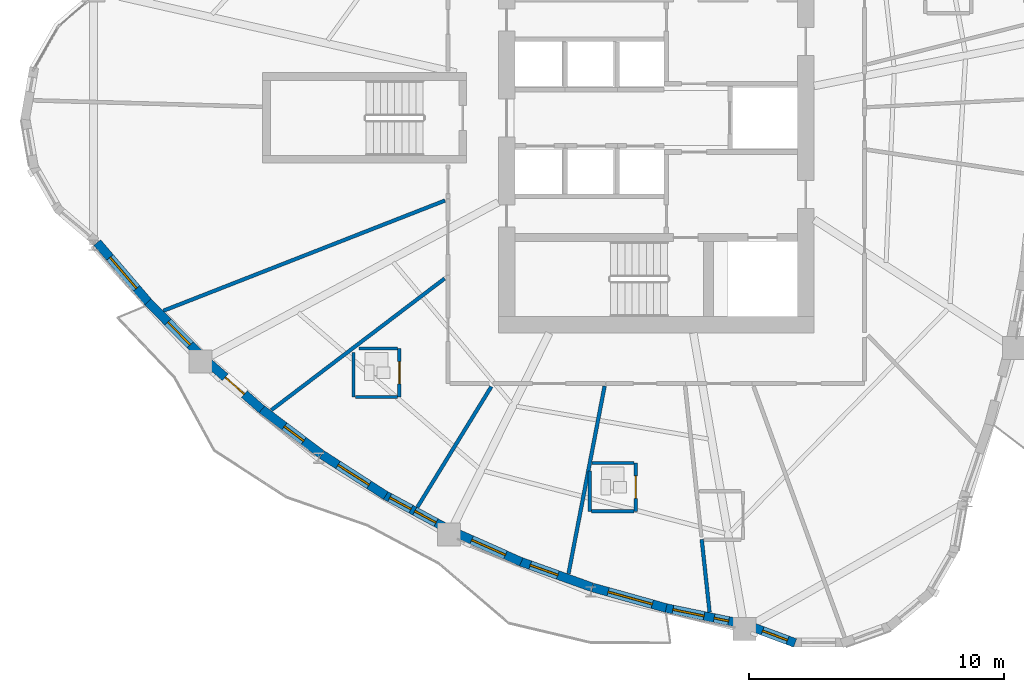
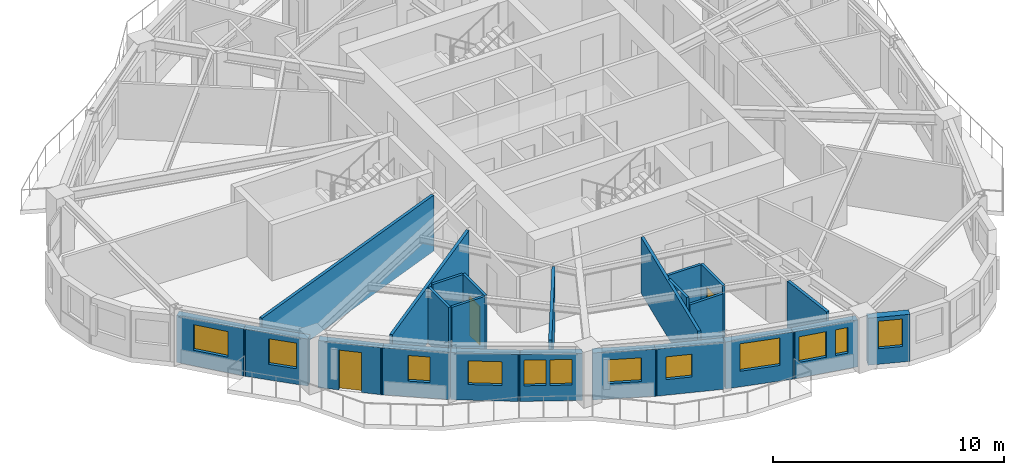
# One storey, part 4 of 14: 24 walls, 12 windows, 3 doors, 15 openings.
"""IFC4 building model written with IfcOpenShell, lengths in metres."""

from ifc_helpers import new_model, si_unit, direction, frame, frame_2d, origin, place, context, subcontext, project, spatial, rectangle, extrude, source, transform, mapped, material, layer, layer_set, type_object, element, fill, save


model = new_model("IFC4")

# Units and contexts
model_context = context("Model", 3, precision=1e-05, world=origin(), true_north=direction((0.0, 1.0)))
body_context = subcontext(model_context, "Body", "Model", "MODEL_VIEW")
ifc_project = project(units=[si_unit("LENGTHUNIT", "METRE"), si_unit("AREAUNIT", "SQUARE_METRE"), si_unit("VOLUMEUNIT", "CUBIC_METRE"), si_unit("PLANEANGLEUNIT", "RADIAN"), si_unit("MASSUNIT", "GRAM", prefix="KILO")], contexts=[model_context])

# Site, building, storey
site_placement = place(None, origin())
site = spatial("IfcSite", under=ifc_project, at=site_placement, CompositionType="ELEMENT")
building_placement = place(site_placement, origin())
building = spatial("IfcBuilding", under=site, at=building_placement, Name="Qafzar Sky-Pleat Residences", CompositionType="ELEMENT")
storey_placement = place(building_placement, frame((0.0, 0.0, 73.60009765625)))
storey = spatial("IfcBuildingStorey", under=building, at=storey_placement, Name="L21", CompositionType="ELEMENT", Elevation=73.60009765625)

# Walls
ifc_material_1 = material(Name="Acoustic gypsum plasterboard partition", Category="gypsum")
ifc_layer_1 = layer(ifc_material_1, 0.14501953125)
ifc_layer_set_1 = layer_set([ifc_layer_1], Name="Acoustic gypsum plasterboard partition")
wall_type_1 = type_object("IfcWallType", Name="PART-UNIT-145", PredefinedType="PARTITIONING", material=ifc_layer_set_1)
wall_1_placement = place(storey_placement, frame((10.998046875, 18.42529296875, 0.0), z_axis=(0.0, 0.0, 1.0), x_axis=(0.931213049878, 0.364475315676, 0.0)))
element("IfcWall", 1, at=wall_1_placement, inside=storey, type_object=wall_type_1, Name="L21 Partition Wall PART-L21-PW-025", PredefinedType="PARTITIONING", context=body_context, shape_type="SweptSolid", body=[
    extrude(rectangle(XDim=11.875, YDim=0.14501953125, at=frame_2d((5.9375, 0.0))), origin(), (0.0, 0.0, 1.0), 2.949951171875),
])
wall_2_placement = place(storey_placement, frame((15.2392578125, 14.52587890625, 0.0), z_axis=(0.0, 0.0, 1.0), x_axis=(0.796393529077, 0.604778758592, 0.0)))
element("IfcWall", 2, at=wall_2_placement, inside=storey, type_object=wall_type_1, Name="L21 Partition Wall PART-L21-PW-031", PredefinedType="PARTITIONING", context=body_context, shape_type="SweptSolid", body=[
    extrude(rectangle(XDim=8.5390625, YDim=0.14501953125, at=frame_2d((4.26953125, 0.0))), origin(), (0.0, 0.0, 1.0), 2.949951171875),
])
wall_3_placement = place(storey_placement, frame((26.90771484375, 8.10400390625, 0.0), z_axis=(0.0, 0.0, 1.0), x_axis=(0.188911386882, 0.981994138428, 0.0)))
element("IfcWall", 3, at=wall_3_placement, inside=storey, type_object=wall_type_1, Name="L21 Partition Wall PART-L21-PW-033", PredefinedType="PARTITIONING", context=body_context, shape_type="SweptSolid", body=[
    extrude(rectangle(XDim=7.49951171875, YDim=0.14501953125, at=frame_2d((3.749755859375, 0.0))), origin(), (0.0, 0.0, 1.0), 2.949951171875),
])
wall_4_placement = place(storey_placement, frame((20.973388671875, 10.714599609375, 0.0), z_axis=(0.0, 0.0, 1.0), x_axis=(0.522906546436, 0.852390018533, 0.0)))
element("IfcWall", 4, at=wall_4_placement, inside=storey, type_object=wall_type_1, Name="L21 Partition Wall PART-L21-PW-040", PredefinedType="PARTITIONING", context=body_context, shape_type="SweptSolid", body=[
    extrude(rectangle(XDim=5.550048828125, YDim=0.14501953125, at=frame_2d((2.77490234375, 0.0))), origin(), (0.0, 0.0, 1.0), 2.949951171875),
])
wall_5_placement = place(storey_placement, frame((32.137939453125, 9.449951171875, 0.0), z_axis=(0.0, 0.0, 1.0), x_axis=(0.107518086749, -0.994203128652, 0.0)))
element("IfcWall", 5, at=wall_5_placement, inside=storey, type_object=wall_type_1, Name="L21 Partition Wall PART-L21-PW-043", PredefinedType="PARTITIONING", context=body_context, shape_type="SweptSolid", body=[
    extrude(rectangle(XDim=2.879150390625, YDim=0.14501953125, at=frame_2d((1.439453125, 0.0))), origin(), (0.0, 0.0, 1.0), 2.949951171875),
])

# Wall, opening, door
ifc_material_2 = material(Name="Moisture-resistant gypsum partition", Category="gypsum")
ifc_layer_2 = layer(ifc_material_2, 0.1298828125)
ifc_layer_set_2 = layer_set([ifc_layer_2], Name="Moisture-resistant gypsum partition")
wall_type_2 = type_object("IfcWallType", Name="PART-WET-130", PredefinedType="PARTITIONING", material=ifc_layer_set_2)
wall_6_placement = place(storey_placement, frame((20.26611328125, 15.04296875, 0.0), z_axis=(0.0, 0.0, 1.0), x_axis=(0.0, 1.0, 0.0)))
wall_6 = element("IfcWall", 6, at=wall_6_placement, inside=storey, type_object=wall_type_2, Name="L21 Partition Wall PART-L21-PW-015", PredefinedType="PARTITIONING", context=body_context, shape_type="SweptSolid", body=[
    extrude(rectangle(XDim=1.900146484375, YDim=0.1298828125, at=frame_2d((0.9501953125, 0.0))), origin(), (0.0, 0.0, 1.0), 2.949951171875),
])
opening_1_placement = place(wall_6_placement, frame((0.510009765625, 0.0, 0.0)))
opening_1 = element("IfcOpeningElement", 7, at=opening_1_placement, cuts=wall_6, Name="Opening ID-07", PredefinedType="OPENING", context=body_context, shape_type="SweptSolid", body=[
    extrude(rectangle(XDim=0.8798828125, YDim=2.050048828125, at=frame_2d((0.43994140625, 1.02490234375))), frame((0.0, 0.074951171875, 0.0), z_axis=(0.0, -1.0, 0.0), x_axis=(1.0, 0.0, 0.0)), (0.0, 0.0, 1.0), 0.14990234375),
])
ifc_material_3 = material(Name="Timber-faced fire door", Category="wood")
door_type_1 = type_object("IfcDoorType", Name="DR-WET-880", OperationType="NOTDEFINED", PredefinedType="DOOR", material=ifc_material_3)
shared_shape_1 = source(origin(), body_context, "Body", "SweptSolid", [
    extrude(rectangle(XDim=0.8798828125, YDim=2.050048828125, at=frame_2d((0.43994140625, 1.02490234375))), frame((0.0, 0.02490234375, 0.0), z_axis=(0.0, -1.0, 0.0), x_axis=(1.0, 0.0, 0.0)), (0.0, 0.0, 1.0), 0.050048828125),
])
door_1_placement = place(opening_1_placement, origin())
door_1 = element("IfcDoor", 8, at=door_1_placement, inside=storey, type_object=door_type_1, Name="L21 En-suite Bathroom 5 Door", OperationType="SINGLE_SWING_LEFT", OverallHeight=2.050048828125, OverallWidth=0.8798828125, PredefinedType="DOOR", context=body_context, shape_type="MappedRepresentation", body=[
    mapped(shared_shape_1, transform((0.0, 0.0, 0.0), x_axis=(1.0, 0.0, 0.0), y_axis=(0.0, 1.0, 0.0), z_axis=(0.0, 0.0, 1.0), scale=1.0)),
])
fill(opening_1, door_1)

wall_7_placement = place(storey_placement, frame((29.5439453125, 10.548095703125, 0.0), z_axis=(0.0, 0.0, 1.0), x_axis=(0.0, 1.0, 0.0)))
wall_7 = element("IfcWall", 9, at=wall_7_placement, inside=storey, type_object=wall_type_2, Name="L21 Partition Wall PART-L21-PW-016", PredefinedType="PARTITIONING", context=body_context, shape_type="SweptSolid", body=[
    extrude(rectangle(XDim=1.89990234375, YDim=0.1298828125, at=frame_2d((0.949951171875, 0.0))), origin(), (0.0, 0.0, 1.0), 2.949951171875),
])
opening_2_placement = place(wall_7_placement, frame((0.510009765625, 0.0, 0.0)))
opening_2 = element("IfcOpeningElement", 10, at=opening_2_placement, cuts=wall_7, Name="Opening ID-07", PredefinedType="OPENING", context=body_context, shape_type="SweptSolid", body=[
    extrude(rectangle(XDim=0.8798828125, YDim=2.050048828125, at=frame_2d((0.43994140625, 1.02490234375))), frame((0.0, 0.074951171875, 0.0), z_axis=(0.0, -1.0, 0.0), x_axis=(1.0, 0.0, 0.0)), (0.0, 0.0, 1.0), 0.14990234375),
])
door_2_placement = place(opening_2_placement, origin())
door_2 = element("IfcDoor", 11, at=door_2_placement, inside=storey, type_object=door_type_1, Name="L21 En-suite Bathroom 6 Door", OperationType="SINGLE_SWING_RIGHT", OverallHeight=2.050048828125, OverallWidth=0.8798828125, PredefinedType="DOOR", context=body_context, shape_type="MappedRepresentation", body=[
    mapped(shared_shape_1, transform((0.0, 0.0, 0.0), x_axis=(1.0, 0.0, 0.0), y_axis=(0.0, 1.0, 0.0), z_axis=(0.0, 0.0, 1.0), scale=1.0)),
])
fill(opening_2, door_2)

# Walls
wall_8_placement = place(storey_placement, frame((18.466064453125, 15.04296875, 0.0), z_axis=(0.0, 0.0, 1.0), x_axis=(0.0, 1.0, 0.0)))
element("IfcWall", 12, at=wall_8_placement, inside=storey, type_object=wall_type_2, Name="L21 Partition Wall PART-L21-PW-046", PredefinedType="PARTITIONING", context=body_context, shape_type="SweptSolid", body=[
    extrude(rectangle(XDim=1.751708984375, YDim=0.1298828125, at=frame_2d((0.8759765625, 0.0))), origin(), (0.0, 0.0, 1.0), 2.949951171875),
])
wall_9_placement = place(storey_placement, frame((27.743896484375, 10.548095703125, 0.0), z_axis=(0.0, 0.0, 1.0), x_axis=(0.0, 1.0, 0.0)))
element("IfcWall", 13, at=wall_9_placement, inside=storey, type_object=wall_type_2, Name="L21 Partition Wall PART-L21-PW-047", PredefinedType="PARTITIONING", context=body_context, shape_type="SweptSolid", body=[
    extrude(rectangle(XDim=1.5849609375, YDim=0.1298828125, at=frame_2d((0.79248046875, 0.0))), origin(), (0.0, 0.0, 1.0), 2.949951171875),
])
wall_10_placement = place(storey_placement, frame((27.83837890625, 12.447998046875, 0.0), z_axis=(0.0, 0.0, 1.0), x_axis=(1.0, 0.0, 0.0)))
element("IfcWall", 14, at=wall_10_placement, inside=storey, type_object=wall_type_2, Name="L21 Partition Wall PART-L21-PW-058", PredefinedType="PARTITIONING", context=body_context, shape_type="SweptSolid", body=[
    extrude(rectangle(XDim=1.632568359375, YDim=0.1298828125, at=frame_2d((0.81640625, 0.0))), origin(), (0.0, 0.0, 1.0), 2.949951171875),
])
wall_11_placement = place(storey_placement, frame((27.81689453125, 10.548095703125, 0.0), z_axis=(0.0, 0.0, 1.0), x_axis=(1.0, 0.0, 0.0)))
element("IfcWall", 15, at=wall_11_placement, inside=storey, type_object=wall_type_2, Name="L21 Partition Wall PART-L21-PW-059", PredefinedType="PARTITIONING", context=body_context, shape_type="SweptSolid", body=[
    extrude(rectangle(XDim=1.654052734375, YDim=0.1298828125, at=frame_2d((0.8271484375, 0.0))), origin(), (0.0, 0.0, 1.0), 2.557861328125),
])
wall_12_placement = place(storey_placement, frame((18.679443359375, 16.943115234375, 0.0), z_axis=(0.0, 0.0, 1.0), x_axis=(1.0, 0.0, 0.0)))
element("IfcWall", 16, at=wall_12_placement, inside=storey, type_object=wall_type_2, Name="L21 Partition Wall PART-L21-PW-060", PredefinedType="PARTITIONING", context=body_context, shape_type="SweptSolid", body=[
    extrude(rectangle(XDim=1.513671875, YDim=0.1298828125, at=frame_2d((0.7568359375, 0.0))), origin(), (0.0, 0.0, 1.0), 2.949951171875),
])
wall_13_placement = place(storey_placement, frame((18.5390625, 15.04296875, 0.0), z_axis=(0.0, 0.0, 1.0), x_axis=(1.0, 0.0, 0.0)))
element("IfcWall", 17, at=wall_13_placement, inside=storey, type_object=wall_type_2, Name="L21 Partition Wall PART-L21-PW-061", PredefinedType="PARTITIONING", context=body_context, shape_type="SweptSolid", body=[
    extrude(rectangle(XDim=1.654052734375, YDim=0.1298828125, at=frame_2d((0.8271484375, 0.0))), origin(), (0.0, 0.0, 1.0), 2.949951171875),
])

# Wall, opening, window
ifc_material_4 = material(Name="Precast concrete C40/50 with honed Riyadh limestone", Category="concrete")
ifc_layer_3 = layer(ifc_material_4, 0.35009765625)
ifc_layer_set_3 = layer_set([ifc_layer_3], Name="Precast concrete C40/50 with honed Riyadh limestone")
wall_type_3 = type_object("IfcWallType", Name="WALL-EXT-350", PredefinedType="SOLIDWALL", material=ifc_layer_set_3)
wall_14_placement = place(storey_placement, frame((8.401611328125, 21.102294921875, 0.0), z_axis=(0.0, 0.0, 1.0), x_axis=(0.650797748491, -0.759251138004, 0.0)))
wall_14 = element("IfcWall", 18, at=wall_14_placement, inside=storey, type_object=wall_type_3, Name="L21 Limestone Facade Wall 7", PredefinedType="SOLIDWALL", context=body_context, shape_type="SweptSolid", body=[
    extrude(rectangle(XDim=3.15380859375, YDim=0.35009765625, at=frame_2d((1.576904296875, 0.0))), origin(), (0.0, 0.0, 1.0), 2.47998046875),
])
opening_3_placement = place(wall_14_placement, frame((0.766845703125, 0.0, 0.820068359375)))
opening_3 = element("IfcOpeningElement", 19, at=opening_3_placement, cuts=wall_14, Name="Opening WN-09", PredefinedType="OPENING", context=body_context, shape_type="SweptSolid", body=[
    extrude(rectangle(XDim=1.60009765625, YDim=1.35009765625, at=frame_2d((0.800048828125, 0.675048828125))), frame((0.0, 0.18505859375, 0.0), z_axis=(0.0, -1.0, 0.0), x_axis=(1.0, 0.0, 0.0)), (0.0, 0.0, 1.0), 0.3701171875),
])
ifc_material_5 = material(Name="Solar-control low-E glass in bronze aluminium frame", Category="glass")
window_type_1 = type_object("IfcWindowType", Name="WIN-09", PartitioningType="DOUBLE_PANEL_VERTICAL", PredefinedType="WINDOW", material=ifc_material_5)
shared_shape_2 = source(origin(), body_context, "Body", "SweptSolid", [
    extrude(rectangle(XDim=1.60009765625, YDim=1.35009765625, at=frame_2d((0.800048828125, 0.675048828125))), frame((0.0, 0.030029296875, 0.0), z_axis=(0.0, -1.0, 0.0), x_axis=(1.0, 0.0, 0.0)), (0.0, 0.0, 1.0), 0.06005859375),
])
window_1_placement = place(opening_3_placement, origin())
window_1 = element("IfcWindow", 20, at=window_1_placement, inside=storey, type_object=window_type_1, Name="L21 Punched Facade Window 07", OverallHeight=1.35009765625, OverallWidth=1.60009765625, PartitioningType="SINGLE_PANEL", PredefinedType="WINDOW", context=body_context, shape_type="MappedRepresentation", body=[
    mapped(shared_shape_2, transform((0.0, 0.0, 0.0), x_axis=(1.0, 0.0, 0.0), y_axis=(0.0, 1.0, 0.0), z_axis=(0.0, 0.0, 1.0), scale=1.0)),
])
fill(opening_3, window_1)

wall_15_placement = place(storey_placement, frame((10.394287109375, 18.772705078125, 0.0), z_axis=(0.0, 0.0, 1.0), x_axis=(0.701965316192, -0.712211130819, 0.0)))
wall_15 = element("IfcWall", 21, at=wall_15_placement, inside=storey, type_object=wall_type_3, Name="L21 Limestone Facade Wall 8", PredefinedType="SOLIDWALL", context=body_context, shape_type="SweptSolid", body=[
    extrude(rectangle(XDim=2.88330078125, YDim=0.35009765625, at=frame_2d((1.441650390625, 0.0))), origin(), (0.0, 0.0, 1.0), 2.47998046875),
])
opening_4_placement = place(wall_15_placement, frame((1.11279296875, 0.0, 0.820068359375)))
opening_4 = element("IfcOpeningElement", 22, at=opening_4_placement, cuts=wall_15, Name="Opening WN-11", PredefinedType="OPENING", context=body_context, shape_type="SweptSolid", body=[
    extrude(rectangle(XDim=1.25, YDim=1.35009765625, at=frame_2d((0.625, 0.675048828125))), frame((0.0, 0.18505859375, 0.0), z_axis=(0.0, -1.0, 0.0), x_axis=(1.0, 0.0, 0.0)), (0.0, 0.0, 1.0), 0.3701171875),
])
window_type_2 = type_object("IfcWindowType", Name="WIN-11", PartitioningType="SINGLE_PANEL", PredefinedType="WINDOW", material=ifc_material_5)
shared_shape_3 = source(origin(), body_context, "Body", "SweptSolid", [
    extrude(rectangle(XDim=1.25, YDim=1.35009765625, at=frame_2d((0.625, 0.675048828125))), frame((0.0, 0.030029296875, 0.0), z_axis=(0.0, -1.0, 0.0), x_axis=(1.0, 0.0, 0.0)), (0.0, 0.0, 1.0), 0.06005859375),
])
window_2_placement = place(opening_4_placement, origin())
window_2 = element("IfcWindow", 23, at=window_2_placement, inside=storey, type_object=window_type_2, Name="L21 Punched Facade Window 08-2", OverallHeight=1.35009765625, OverallWidth=1.25, PartitioningType="SINGLE_PANEL", PredefinedType="WINDOW", context=body_context, shape_type="MappedRepresentation", body=[
    mapped(shared_shape_3, transform((0.0, 0.0, 0.0), x_axis=(1.0, 0.0, 0.0), y_axis=(0.0, 1.0, 0.0), z_axis=(0.0, 0.0, 1.0), scale=1.0)),
])
fill(opening_4, window_2)

# Wall, opening, door
wall_16_placement = place(storey_placement, frame((12.736083984375, 16.419189453125, 0.0), z_axis=(0.0, 0.0, 1.0), x_axis=(0.751507962483, -0.659724019818, 0.0)))
wall_16 = element("IfcWall", 24, at=wall_16_placement, inside=storey, type_object=wall_type_3, Name="L21 Limestone Facade Wall 9", PredefinedType="SOLIDWALL", context=body_context, shape_type="SweptSolid", body=[
    extrude(rectangle(XDim=2.832763671875, YDim=0.35009765625, at=frame_2d((1.41650390625, 0.0))), origin(), (0.0, 0.0, 1.0), 2.47998046875),
])
opening_5_placement = place(wall_16_placement, frame((0.91650390625, 0.0, 0.0)))
opening_5 = element("IfcOpeningElement", 25, at=opening_5_placement, cuts=wall_16, Name="Opening ED-05", PredefinedType="OPENING", context=body_context, shape_type="SweptSolid", body=[
    extrude(rectangle(XDim=1.0, YDim=2.10009765625, at=frame_2d((0.5, 1.050048828125))), frame((0.0, 0.18505859375, 0.0), z_axis=(0.0, -1.0, 0.0), x_axis=(1.0, 0.0, 0.0)), (0.0, 0.0, 1.0), 0.3701171875),
])
ifc_material_6 = material(Name="Glazed bronze aluminium door", Category="aluminium")
door_type_2 = type_object("IfcDoorType", Name="DR-BAL-1000", OperationType="NOTDEFINED", PredefinedType="DOOR", material=ifc_material_6)
shared_shape_4 = source(origin(), body_context, "Body", "SweptSolid", [
    extrude(rectangle(XDim=1.0, YDim=2.10009765625, at=frame_2d((0.5, 1.050048828125))), frame((0.0, 0.02490234375, 0.0), z_axis=(0.0, -1.0, 0.0), x_axis=(1.0, 0.0, 0.0)), (0.0, 0.0, 1.0), 0.050048828125),
])
door_3_placement = place(opening_5_placement, origin())
door_3 = element("IfcDoor", 26, at=door_3_placement, inside=storey, type_object=door_type_2, Name="L21 Glazed Balcony Door 3", OperationType="SINGLE_SWING_LEFT", OverallHeight=2.10009765625, OverallWidth=1.0, PredefinedType="DOOR", context=body_context, shape_type="MappedRepresentation", body=[
    mapped(shared_shape_4, transform((0.0, 0.0, 0.0), x_axis=(1.0, 0.0, 0.0), y_axis=(0.0, 1.0, 0.0), z_axis=(0.0, 0.0, 1.0), scale=1.0)),
])
fill(opening_5, door_3)

# Wall, opening, window
wall_17_placement = place(storey_placement, frame((14.796142578125, 14.6064453125, 0.0), z_axis=(0.0, 0.0, 1.0), x_axis=(0.79839776153, -0.602130396496, 0.0)))
wall_17 = element("IfcWall", 27, at=wall_17_placement, inside=storey, type_object=wall_type_3, Name="L21 Limestone Facade Wall 10", PredefinedType="SOLIDWALL", context=body_context, shape_type="SweptSolid", body=[
    extrude(rectangle(XDim=3.004150390625, YDim=0.35009765625, at=frame_2d((1.501953125, 0.0))), origin(), (0.0, 0.0, 1.0), 2.47998046875),
])
opening_6_placement = place(wall_17_placement, frame((1.193115234375, 0.0, 0.820068359375)))
opening_6 = element("IfcOpeningElement", 28, at=opening_6_placement, cuts=wall_17, Name="Opening WN-12", PredefinedType="OPENING", context=body_context, shape_type="SweptSolid", body=[
    extrude(rectangle(XDim=0.949951171875, YDim=1.35009765625, at=frame_2d((0.47509765625, 0.675048828125))), frame((0.0, 0.18505859375, 0.0), z_axis=(0.0, -1.0, 0.0), x_axis=(1.0, 0.0, 0.0)), (0.0, 0.0, 1.0), 0.3701171875),
])
window_type_3 = type_object("IfcWindowType", Name="WIN-12", PartitioningType="SINGLE_PANEL", PredefinedType="WINDOW", material=ifc_material_5)
shared_shape_5 = source(origin(), body_context, "Body", "SweptSolid", [
    extrude(rectangle(XDim=0.949951171875, YDim=1.35009765625, at=frame_2d((0.47509765625, 0.675048828125))), frame((0.0, 0.030029296875, 0.0), z_axis=(0.0, -1.0, 0.0), x_axis=(1.0, 0.0, 0.0)), (0.0, 0.0, 1.0), 0.06005859375),
])
window_3_placement = place(opening_6_placement, origin())
window_3 = element("IfcWindow", 29, at=window_3_placement, inside=storey, type_object=window_type_3, Name="L21 Punched Facade Window 10", OverallHeight=1.35009765625, OverallWidth=0.949951171875, PartitioningType="SINGLE_PANEL", PredefinedType="WINDOW", context=body_context, shape_type="MappedRepresentation", body=[
    mapped(shared_shape_5, transform((0.0, 0.0, 0.0), x_axis=(1.0, 0.0, 0.0), y_axis=(0.0, 1.0, 0.0), z_axis=(0.0, 0.0, 1.0), scale=1.0)),
])
fill(opening_6, window_3)

wall_18_placement = place(storey_placement, frame((17.216552734375, 12.7822265625, 0.0), z_axis=(0.0, 0.0, 1.0), x_axis=(0.841568610443, -0.540150232729, 0.0)))
wall_18 = element("IfcWall", 30, at=wall_18_placement, inside=storey, type_object=wall_type_3, Name="L21 Limestone Facade Wall 11", PredefinedType="SOLIDWALL", context=body_context, shape_type="SweptSolid", body=[
    extrude(rectangle(XDim=2.987060546875, YDim=0.35009765625, at=frame_2d((1.49365234375, 0.0))), origin(), (0.0, 0.0, 1.0), 2.47998046875),
])
opening_7_placement = place(wall_18_placement, frame((0.758544921875, 0.0, 0.820068359375)))
opening_7 = element("IfcOpeningElement", 31, at=opening_7_placement, cuts=wall_18, Name="Opening WN-15", PredefinedType="OPENING", context=body_context, shape_type="SweptSolid", body=[
    extrude(rectangle(XDim=1.449951171875, YDim=1.25, at=frame_2d((0.72509765625, 0.625))), frame((0.0, 0.18505859375, 0.0), z_axis=(0.0, -1.0, 0.0), x_axis=(1.0, 0.0, 0.0)), (0.0, 0.0, 1.0), 0.3701171875),
])
window_type_4 = type_object("IfcWindowType", Name="WIN-15", PartitioningType="SINGLE_PANEL", PredefinedType="WINDOW", material=ifc_material_5)
shared_shape_6 = source(origin(), body_context, "Body", "SweptSolid", [
    extrude(rectangle(XDim=1.449951171875, YDim=1.25, at=frame_2d((0.72509765625, 0.625))), frame((0.0, 0.030029296875, 0.0), z_axis=(0.0, -1.0, 0.0), x_axis=(1.0, 0.0, 0.0)), (0.0, 0.0, 1.0), 0.06005859375),
])
window_4_placement = place(opening_7_placement, origin())
window_4 = element("IfcWindow", 32, at=window_4_placement, inside=storey, type_object=window_type_4, Name="L21 Punched Facade Window 11", OverallHeight=1.25, OverallWidth=1.449951171875, PartitioningType="SINGLE_PANEL", PredefinedType="WINDOW", context=body_context, shape_type="MappedRepresentation", body=[
    mapped(shared_shape_6, transform((0.0, 0.0, 0.0), x_axis=(1.0, 0.0, 0.0), y_axis=(0.0, 1.0, 0.0), z_axis=(0.0, 0.0, 1.0), scale=1.0)),
])
fill(opening_7, window_4)

# Wall, openings, windows
wall_19_placement = place(storey_placement, frame((19.653564453125, 11.214111328125, 0.0), z_axis=(0.0, 0.0, 1.0), x_axis=(0.880112978449, -0.474764304857, 0.0)))
wall_19 = element("IfcWall", 33, at=wall_19_placement, inside=storey, type_object=wall_type_3, Name="L21 Limestone Facade Wall 12", PredefinedType="SOLIDWALL", context=body_context, shape_type="SweptSolid", body=[
    extrude(rectangle(XDim=2.781982421875, YDim=0.35009765625, at=frame_2d((1.39111328125, 0.0))), origin(), (0.0, 0.0, 1.0), 2.47998046875),
])
opening_8_placement = place(wall_19_placement, frame((0.263916015625, 0.0, 0.820068359375)))
opening_8 = element("IfcOpeningElement", 34, at=opening_8_placement, cuts=wall_19, Name="Opening WN-12", PredefinedType="OPENING", context=body_context, shape_type="SweptSolid", body=[
    extrude(rectangle(XDim=0.949951171875, YDim=1.35009765625, at=frame_2d((0.47509765625, 0.675048828125))), frame((0.0, 0.18505859375, 0.0), z_axis=(0.0, -1.0, 0.0), x_axis=(1.0, 0.0, 0.0)), (0.0, 0.0, 1.0), 0.3701171875),
])
opening_9_placement = place(wall_19_placement, frame((1.3798828125, 0.0, 0.820068359375)))
opening_9 = element("IfcOpeningElement", 35, at=opening_9_placement, cuts=wall_19, Name="Opening WN-12", PredefinedType="OPENING", context=body_context, shape_type="SweptSolid", body=[
    extrude(rectangle(XDim=0.949951171875, YDim=1.35009765625, at=frame_2d((0.47509765625, 0.675048828125))), frame((0.0, 0.18505859375, 0.0), z_axis=(0.0, -1.0, 0.0), x_axis=(1.0, 0.0, 0.0)), (0.0, 0.0, 1.0), 0.3701171875),
])
window_5_placement = place(opening_8_placement, origin())
window_5 = element("IfcWindow", 36, at=window_5_placement, inside=storey, type_object=window_type_3, Name="L21 Punched Facade Window 12", OverallHeight=1.35009765625, OverallWidth=0.949951171875, PartitioningType="SINGLE_PANEL", PredefinedType="WINDOW", context=body_context, shape_type="MappedRepresentation", body=[
    mapped(shared_shape_5, transform((0.0, 0.0, 0.0), x_axis=(1.0, 0.0, 0.0), y_axis=(0.0, 1.0, 0.0), z_axis=(0.0, 0.0, 1.0), scale=1.0)),
])
fill(opening_8, window_5)
window_6_placement = place(opening_9_placement, origin())
window_6 = element("IfcWindow", 37, at=window_6_placement, inside=storey, type_object=window_type_3, Name="L21 Punched Facade Window 12-2", OverallHeight=1.35009765625, OverallWidth=0.949951171875, PartitioningType="SINGLE_PANEL", PredefinedType="WINDOW", context=body_context, shape_type="MappedRepresentation", body=[
    mapped(shared_shape_5, transform((0.0, 0.0, 0.0), x_axis=(1.0, 0.0, 0.0), y_axis=(0.0, 1.0, 0.0), z_axis=(0.0, 0.0, 1.0), scale=1.0)),
])
fill(opening_9, window_6)

# Wall, opening, window
wall_20_placement = place(storey_placement, frame((22.49365234375, 9.70068359375, 0.0), z_axis=(0.0, 0.0, 1.0), x_axis=(0.913444316629, -0.406963733542, 0.0)))
wall_20 = element("IfcWall", 38, at=wall_20_placement, inside=storey, type_object=wall_type_3, Name="L21 Limestone Facade Wall 13", PredefinedType="SOLIDWALL", context=body_context, shape_type="SweptSolid", body=[
    extrude(rectangle(XDim=2.799072265625, YDim=0.35009765625, at=frame_2d((1.3994140625, 0.0))), origin(), (0.0, 0.0, 1.0), 2.47998046875),
])
opening_10_placement = place(wall_20_placement, frame((0.66943359375, 0.0, 0.820068359375)))
opening_10 = element("IfcOpeningElement", 39, at=opening_10_placement, cuts=wall_20, Name="Opening WN-15", PredefinedType="OPENING", context=body_context, shape_type="SweptSolid", body=[
    extrude(rectangle(XDim=1.449951171875, YDim=1.25, at=frame_2d((0.72509765625, 0.625))), frame((0.0, 0.18505859375, 0.0), z_axis=(0.0, -1.0, 0.0), x_axis=(1.0, 0.0, 0.0)), (0.0, 0.0, 1.0), 0.3701171875),
])
window_7_placement = place(opening_10_placement, origin())
window_7 = element("IfcWindow", 40, at=window_7_placement, inside=storey, type_object=window_type_4, Name="L21 Punched Facade Window 13", OverallHeight=1.25, OverallWidth=1.449951171875, PartitioningType="SINGLE_PANEL", PredefinedType="WINDOW", context=body_context, shape_type="MappedRepresentation", body=[
    mapped(shared_shape_6, transform((0.0, 0.0, 0.0), x_axis=(1.0, 0.0, 0.0), y_axis=(0.0, 1.0, 0.0), z_axis=(0.0, 0.0, 1.0), scale=1.0)),
])
fill(opening_10, window_7)

wall_21_placement = place(storey_placement, frame((24.968017578125, 8.5947265625, 0.0), z_axis=(0.0, 0.0, 1.0), x_axis=(0.941116670911, -0.338081960082, 0.0)))
wall_21 = element("IfcWall", 41, at=wall_21_placement, inside=storey, type_object=wall_type_3, Name="L21 Limestone Facade Wall 14", PredefinedType="SOLIDWALL", context=body_context, shape_type="SweptSolid", body=[
    extrude(rectangle(XDim=3.0380859375, YDim=0.35009765625, at=frame_2d((1.51904296875, 0.0))), origin(), (0.0, 0.0, 1.0), 2.47998046875),
])
opening_11_placement = place(wall_21_placement, frame((0.462890625, 0.0, 0.820068359375)))
opening_11 = element("IfcOpeningElement", 42, at=opening_11_placement, cuts=wall_21, Name="Opening WN-16", PredefinedType="OPENING", context=body_context, shape_type="SweptSolid", body=[
    extrude(rectangle(XDim=1.14990234375, YDim=1.199951171875, at=frame_2d((0.574951171875, 0.60009765625))), frame((0.0, 0.18505859375, 0.0), z_axis=(0.0, -1.0, 0.0), x_axis=(1.0, 0.0, 0.0)), (0.0, 0.0, 1.0), 0.3701171875),
])
window_type_5 = type_object("IfcWindowType", Name="WIN-16", PartitioningType="SINGLE_PANEL", PredefinedType="WINDOW", material=ifc_material_5)
shared_shape_7 = source(origin(), body_context, "Body", "SweptSolid", [
    extrude(rectangle(XDim=1.14990234375, YDim=1.199951171875, at=frame_2d((0.574951171875, 0.60009765625))), frame((0.0, 0.030029296875, 0.0), z_axis=(0.0, -1.0, 0.0), x_axis=(1.0, 0.0, 0.0)), (0.0, 0.0, 1.0), 0.06005859375),
])
window_8_placement = place(opening_11_placement, origin())
window_8 = element("IfcWindow", 43, at=window_8_placement, inside=storey, type_object=window_type_5, Name="L21 Punched Facade Window 14", OverallHeight=1.199951171875, OverallWidth=1.14990234375, PartitioningType="SINGLE_PANEL", PredefinedType="WINDOW", context=body_context, shape_type="MappedRepresentation", body=[
    mapped(shared_shape_7, transform((0.0, 0.0, 0.0), x_axis=(1.0, 0.0, 0.0), y_axis=(0.0, 1.0, 0.0), z_axis=(0.0, 0.0, 1.0), scale=1.0)),
])
fill(opening_11, window_8)

wall_22_placement = place(storey_placement, frame((27.853271484375, 7.55908203125, 0.0), z_axis=(0.0, 0.0, 1.0), x_axis=(0.963060030054, -0.269286796024, 0.0)))
wall_22 = element("IfcWall", 44, at=wall_22_placement, inside=storey, type_object=wall_type_3, Name="L21 Limestone Facade Wall 15", PredefinedType="SOLIDWALL", context=body_context, shape_type="SweptSolid", body=[
    extrude(rectangle(XDim=3.087890625, YDim=0.35009765625, at=frame_2d((1.5439453125, 0.0))), origin(), (0.0, 0.0, 1.0), 2.47998046875),
])
opening_12_placement = place(wall_22_placement, frame((0.634033203125, 0.0, 0.820068359375)))
opening_12 = element("IfcOpeningElement", 45, at=opening_12_placement, cuts=wall_22, Name="Opening WN-01", PredefinedType="OPENING", context=body_context, shape_type="SweptSolid", body=[
    extrude(rectangle(XDim=1.800048828125, YDim=1.449951171875, at=frame_2d((0.89990234375, 0.72509765625))), frame((0.0, 0.18505859375, 0.0), z_axis=(0.0, -1.0, 0.0), x_axis=(1.0, 0.0, 0.0)), (0.0, 0.0, 1.0), 0.3701171875),
])
window_type_6 = type_object("IfcWindowType", Name="WIN-01", PartitioningType="DOUBLE_PANEL_VERTICAL", PredefinedType="WINDOW", material=ifc_material_5)
shared_shape_8 = source(origin(), body_context, "Body", "SweptSolid", [
    extrude(rectangle(XDim=1.800048828125, YDim=1.449951171875, at=frame_2d((0.89990234375, 0.72509765625))), frame((0.0, 0.030029296875, 0.0), z_axis=(0.0, -1.0, 0.0), x_axis=(1.0, 0.0, 0.0)), (0.0, 0.0, 1.0), 0.06005859375),
])
window_9_placement = place(opening_12_placement, origin())
window_9 = element("IfcWindow", 46, at=window_9_placement, inside=storey, type_object=window_type_6, Name="L21 Punched Facade Window 15", OverallHeight=1.449951171875, OverallWidth=1.800048828125, PartitioningType="SINGLE_PANEL", PredefinedType="WINDOW", context=body_context, shape_type="MappedRepresentation", body=[
    mapped(shared_shape_8, transform((0.0, 0.0, 0.0), x_axis=(1.0, 0.0, 0.0), y_axis=(0.0, 1.0, 0.0), z_axis=(0.0, 0.0, 1.0), scale=1.0)),
])
fill(opening_12, window_9)

# Wall, openings, windows
wall_23_placement = place(storey_placement, frame((30.741455078125, 6.748291015625, 0.0), z_axis=(0.0, 0.0, 1.0), x_axis=(0.979446941056, -0.201701982282, 0.0)))
wall_23 = element("IfcWall", 47, at=wall_23_placement, inside=storey, type_object=wall_type_3, Name="L21 Limestone Facade Wall 16", PredefinedType="SOLIDWALL", context=body_context, shape_type="SweptSolid", body=[
    extrude(rectangle(XDim=2.948486328125, YDim=0.35009765625, at=frame_2d((1.47412109375, 0.0))), origin(), (0.0, 0.0, 1.0), 2.47998046875),
])
opening_13_placement = place(wall_23_placement, frame((0.27001953125, 0.0, 0.820068359375)))
opening_13 = element("IfcOpeningElement", 48, at=opening_13_placement, cuts=wall_23, Name="Opening WN-11", PredefinedType="OPENING", context=body_context, shape_type="SweptSolid", body=[
    extrude(rectangle(XDim=1.25, YDim=1.35009765625, at=frame_2d((0.625, 0.675048828125))), frame((0.0, 0.18505859375, 0.0), z_axis=(0.0, -1.0, 0.0), x_axis=(1.0, 0.0, 0.0)), (0.0, 0.0, 1.0), 0.3701171875),
])
opening_14_placement = place(wall_23_placement, frame((1.924560546875, 0.0, 0.820068359375)))
opening_14 = element("IfcOpeningElement", 49, at=opening_14_placement, cuts=wall_23, Name="Opening WN-17", PredefinedType="OPENING", context=body_context, shape_type="SweptSolid", body=[
    extrude(rectangle(XDim=0.580078125, YDim=1.35009765625, at=frame_2d((0.2900390625, 0.675048828125))), frame((0.0, 0.18505859375, 0.0), z_axis=(0.0, -1.0, 0.0), x_axis=(1.0, 0.0, 0.0)), (0.0, 0.0, 1.0), 0.3701171875),
])
window_type_7 = type_object("IfcWindowType", Name="WIN-17", PartitioningType="SINGLE_PANEL", PredefinedType="WINDOW", material=ifc_material_5)
shared_shape_9 = source(origin(), body_context, "Body", "SweptSolid", [
    extrude(rectangle(XDim=0.580078125, YDim=1.35009765625, at=frame_2d((0.2900390625, 0.675048828125))), frame((0.0, 0.030029296875, 0.0), z_axis=(0.0, -1.0, 0.0), x_axis=(1.0, 0.0, 0.0)), (0.0, 0.0, 1.0), 0.06005859375),
])
window_10_placement = place(opening_14_placement, origin())
window_10 = element("IfcWindow", 50, at=window_10_placement, inside=storey, type_object=window_type_7, Name="L21 Punched Facade Window 16-2", OverallHeight=1.35009765625, OverallWidth=0.580078125, PartitioningType="SINGLE_PANEL", PredefinedType="WINDOW", context=body_context, shape_type="MappedRepresentation", body=[
    mapped(shared_shape_9, transform((0.0, 0.0, 0.0), x_axis=(1.0, 0.0, 0.0), y_axis=(0.0, 1.0, 0.0), z_axis=(0.0, 0.0, 1.0), scale=1.0)),
])
fill(opening_14, window_10)
window_11_placement = place(opening_13_placement, origin())
window_11 = element("IfcWindow", 51, at=window_11_placement, inside=storey, type_object=window_type_2, Name="L21 Punched Facade Window 16", OverallHeight=1.35009765625, OverallWidth=1.25, PartitioningType="SINGLE_PANEL", PredefinedType="WINDOW", context=body_context, shape_type="MappedRepresentation", body=[
    mapped(shared_shape_3, transform((0.0, 0.0, 0.0), x_axis=(1.0, 0.0, 0.0), y_axis=(0.0, 1.0, 0.0), z_axis=(0.0, 0.0, 1.0), scale=1.0)),
])
fill(opening_13, window_11)

# Wall, opening, window
wall_24_placement = place(storey_placement, frame((34.086669921875, 6.02197265625, 0.0), z_axis=(0.0, 0.0, 1.0), x_axis=(0.9368310555, -0.349782180007, 0.0)))
wall_24 = element("IfcWall", 52, at=wall_24_placement, inside=storey, type_object=wall_type_3, Name="L21 Limestone Facade Wall 17", PredefinedType="SOLIDWALL", context=body_context, shape_type="SweptSolid", body=[
    extrude(rectangle(XDim=1.835693359375, YDim=0.35009765625, at=frame_2d((0.91796875, 0.0))), origin(), (0.0, 0.0, 1.0), 2.47998046875),
])
opening_15_placement = place(wall_24_placement, frame((0.468017578125, 0.0, 0.820068359375)))
opening_15 = element("IfcOpeningElement", 53, at=opening_15_placement, cuts=wall_24, Name="Opening WN-06", PredefinedType="OPENING", context=body_context, shape_type="SweptSolid", body=[
    extrude(rectangle(XDim=1.050048828125, YDim=1.449951171875, at=frame_2d((0.52490234375, 0.72509765625))), frame((0.0, 0.18505859375, 0.0), z_axis=(0.0, -1.0, 0.0), x_axis=(1.0, 0.0, 0.0)), (0.0, 0.0, 1.0), 0.3701171875),
])
window_type_8 = type_object("IfcWindowType", Name="WIN-06", PartitioningType="SINGLE_PANEL", PredefinedType="WINDOW", material=ifc_material_5)
shared_shape_10 = source(origin(), body_context, "Body", "SweptSolid", [
    extrude(rectangle(XDim=1.050048828125, YDim=1.449951171875, at=frame_2d((0.52490234375, 0.72509765625))), frame((0.0, 0.030029296875, 0.0), z_axis=(0.0, -1.0, 0.0), x_axis=(1.0, 0.0, 0.0)), (0.0, 0.0, 1.0), 0.06005859375),
])
window_12_placement = place(opening_15_placement, origin())
window_12 = element("IfcWindow", 54, at=window_12_placement, inside=storey, type_object=window_type_8, Name="L21 Punched Facade Window 17", OverallHeight=1.449951171875, OverallWidth=1.050048828125, PartitioningType="SINGLE_PANEL", PredefinedType="WINDOW", context=body_context, shape_type="MappedRepresentation", body=[
    mapped(shared_shape_10, transform((0.0, 0.0, 0.0), x_axis=(1.0, 0.0, 0.0), y_axis=(0.0, 1.0, 0.0), z_axis=(0.0, 0.0, 1.0), scale=1.0)),
])
fill(opening_15, window_12)

save(model, "model.ifc")
